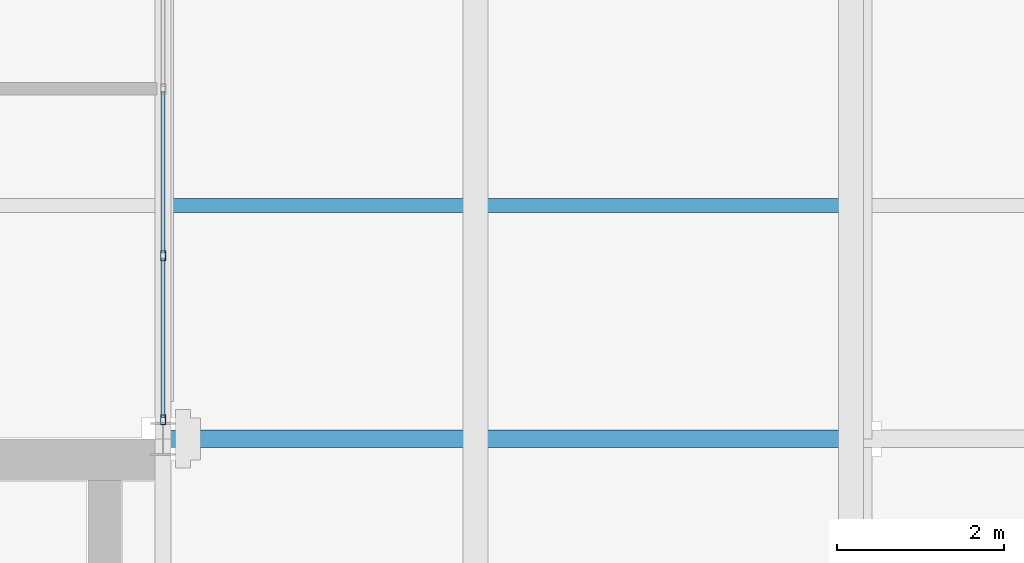
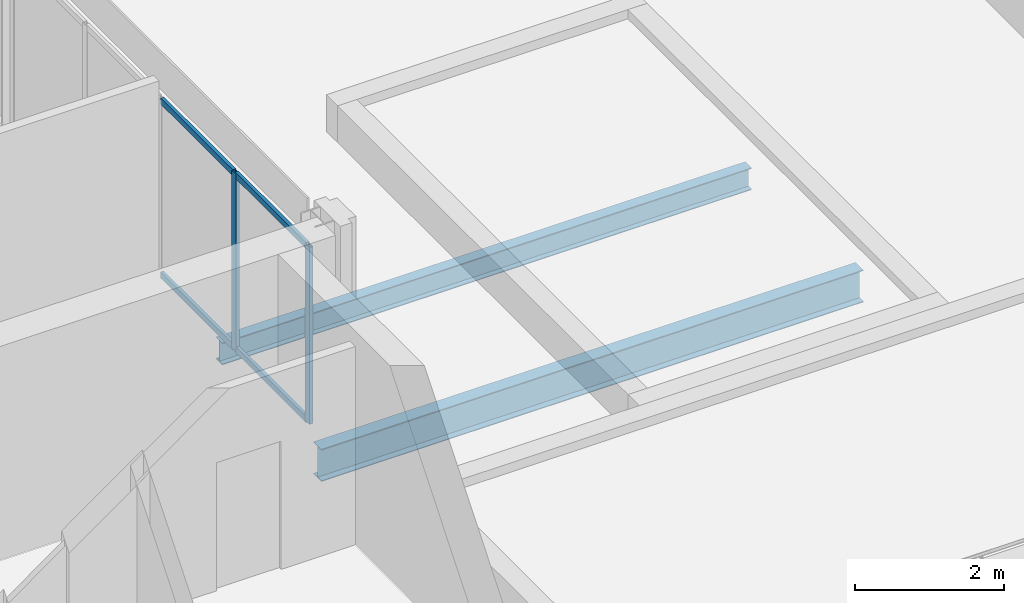
# One storey, part 8 of 32: 6 members, 2 beams, 1 element without a shape of its own.
"""IFC4 building model written with IfcOpenShell, lengths in metres."""

from ifc_helpers import new_model, si_unit, direction, frame, origin, origin_2d, place, context, subcontext, project, spatial, hollow_rectangle, i_section, extrude, material, material_profile, profile_set, type_object, element, aggregate, save


model = new_model("IFC4")

# Units and contexts
model_context = context("Model", 3, precision=1e-05, world=origin(), true_north=direction((0.0, 1.0)))
body_context = subcontext(model_context, "Body", "Model", "MODEL_VIEW")
ifc_project = project(units=[si_unit("LENGTHUNIT", "METRE"), si_unit("AREAUNIT", "SQUARE_METRE"), si_unit("VOLUMEUNIT", "CUBIC_METRE"), si_unit("PLANEANGLEUNIT", "RADIAN"), si_unit("MASSUNIT", "GRAM", prefix="KILO")], contexts=[model_context])

# Site, building, storey
site_placement = place(None, origin())
site = spatial("IfcSite", under=ifc_project, at=site_placement, CompositionType="ELEMENT")
building_placement = place(site_placement, origin())
building = spatial("IfcBuilding", under=site, at=building_placement, Name="Catenary Quay Ferry Terminal", CompositionType="ELEMENT")
storey_placement = place(building_placement, frame((0.0, 0.0, 17.10009765625)))
storey = spatial("IfcBuildingStorey", under=building, at=storey_placement, Name="L03", CompositionType="ELEMENT", Elevation=17.10009765625)

# Beams
ifc_material_1 = material(Name="Steel S355", Category="steel")
ifc_material_profile_1 = material_profile(ifc_material_1, i_section(OverallWidth=0.208740234375, OverallDepth=0.5283203125, WebThickness=0.009521484375, FlangeThickness=0.01318359375, at=origin_2d()), Name="UB 533x210x82")
ifc_profile_set_1 = profile_set([ifc_material_profile_1], Name="Steel S355")
beam_type_1 = type_object("IfcBeamType", Name="B5 UB 533x210x82", PredefinedType="BEAM", material=ifc_profile_set_1)
beam_1_placement = place(storey_placement, frame((50.39990234375, 168.0, -0.51416015625), z_axis=(1.0, 0.0, 0.0), x_axis=(0.0, 1.0, 0.0)))
element("IfcBeam", 1, at=beam_1_placement, inside=storey, type_object=beam_type_1, Name="Beam B5-003", PredefinedType="BEAM", context=body_context, shape_type="SweptSolid", body=[
    extrude(i_section(OverallWidth=0.208740234375, OverallDepth=0.5283203125, WebThickness=0.009521484375, FlangeThickness=0.01318359375, at=origin_2d()), origin(), (0.0, 0.0, 1.0), 8.400146484375),
])
ifc_material_2 = material(Name="Steel S355", Category="steel")
ifc_material_profile_2 = material_profile(ifc_material_2, i_section(OverallWidth=0.169921875, OverallDepth=0.360107421875, WebThickness=0.008056640625, FlangeThickness=0.0126953125, at=origin_2d()), Name="IPE 360")
ifc_profile_set_2 = profile_set([ifc_material_profile_2], Name="Steel S355")
beam_type_2 = type_object("IfcBeamType", Name="B7 IPE 360", PredefinedType="BEAM", material=ifc_profile_set_2)
beam_2_placement = place(storey_placement, frame((50.4951171875, 170.800048828125, -0.43017578125), z_axis=(1.0, 0.0, 0.0), x_axis=(0.0, 1.0, 0.0)))
element("IfcBeam", 2, at=beam_2_placement, inside=storey, type_object=beam_type_2, Name="Beam B7-005", PredefinedType="BEAM", context=body_context, shape_type="SweptSolid", body=[
    extrude(i_section(OverallWidth=0.169921875, OverallDepth=0.360107421875, WebThickness=0.008056640625, FlangeThickness=0.0126953125, at=origin_2d()), origin(), (0.0, 0.0, 1.0), 8.200927734375),
])

# Curtain wall, members
ifc_material_3 = material(Name="Aluminium and glass", Category="aluminium")
curtain_wall_type = type_object("IfcCurtainWallType", Name="CWW3", PredefinedType="NOTDEFINED", material=ifc_material_3)
curtain_wall_placement = place(storey_placement, origin())
curtain_wall = element("IfcCurtainWall", 3, at=curtain_wall_placement, inside=storey, type_object=curtain_wall_type, Name="Wing curtain wall CW144", PredefinedType="NOTDEFINED")
ifc_material_4 = material(Name="Aluminium", Category="aluminium")
ifc_material_profile_3 = material_profile(ifc_material_4, hollow_rectangle(XDim=0.06005859375, YDim=0.1201171875, WallThickness=0.0048828125, at=origin_2d()), Name="MU4")
ifc_profile_set_3 = profile_set([ifc_material_profile_3], Name="Aluminium")
member_type_1 = type_object("IfcMemberType", Name="MU4", PredefinedType="MULLION", material=ifc_profile_set_3)
member_1_placement = place(storey_placement, frame((50.39990234375, 168.22998046875, 0.0), z_axis=(0.0, 0.0, 1.0), x_axis=(-1.0, 0.0, 0.0)))
member_1 = element("IfcMember", 4, at=member_1_placement, type_object=member_type_1, Name="CW144 mullion 1", PredefinedType="MULLION", context=body_context, shape_type="SweptSolid", body=[
    extrude(hollow_rectangle(XDim=0.06005859375, YDim=0.1201171875, WallThickness=0.0048828125, at=origin_2d()), origin(), (0.0, 0.0, 1.0), 2.89990234375),
])
member_2_placement = place(storey_placement, frame((50.39990234375, 170.199951171875, 0.0), z_axis=(0.0, 0.0, 1.0), x_axis=(-1.0, 0.0, 0.0)))
member_2 = element("IfcMember", 5, at=member_2_placement, type_object=member_type_1, Name="CW144 mullion 2", PredefinedType="MULLION", context=body_context, shape_type="SweptSolid", body=[
    extrude(hollow_rectangle(XDim=0.06005859375, YDim=0.1201171875, WallThickness=0.0048828125, at=origin_2d()), origin(), (0.0, 0.0, 1.0), 2.89990234375),
])
ifc_material_5 = material(Name="Aluminium", Category="aluminium")
ifc_material_profile_4 = material_profile(ifc_material_5, hollow_rectangle(XDim=0.050048828125, YDim=0.10009765625, WallThickness=0.00390625, at=origin_2d()), Name="TR4")
ifc_profile_set_4 = profile_set([ifc_material_profile_4], Name="Aluminium")
member_type_2 = type_object("IfcMemberType", Name="TR4", PredefinedType="USERDEFINED", material=ifc_profile_set_4)
member_3_placement = place(storey_placement, frame((50.39990234375, 168.260009765625, 0.02490234375), z_axis=(0.0, 1.0, 0.0), x_axis=(-1.0, 0.0, 0.0)))
member_3 = element("IfcMember", 6, at=member_3_placement, type_object=member_type_2, Name="CW144 transom 1.1", ObjectType="TRANSOM", PredefinedType="USERDEFINED", context=body_context, shape_type="SweptSolid", body=[
    extrude(hollow_rectangle(XDim=0.050048828125, YDim=0.10009765625, WallThickness=0.00390625, at=origin_2d()), origin(), (0.0, 0.0, 1.0), 1.909912109375),
])
member_4_placement = place(storey_placement, frame((50.39990234375, 168.260009765625, 2.875), z_axis=(0.0, 1.0, 0.0), x_axis=(-1.0, 0.0, 0.0)))
member_4 = element("IfcMember", 7, at=member_4_placement, type_object=member_type_2, Name="CW144 transom 1.2", ObjectType="TRANSOM", PredefinedType="USERDEFINED", context=body_context, shape_type="SweptSolid", body=[
    extrude(hollow_rectangle(XDim=0.050048828125, YDim=0.10009765625, WallThickness=0.00390625, at=origin_2d()), origin(), (0.0, 0.0, 1.0), 1.909912109375),
])
member_5_placement = place(storey_placement, frame((50.39990234375, 170.22998046875, 0.02490234375), z_axis=(0.0, 1.0, 0.0), x_axis=(-1.0, 0.0, 0.0)))
member_5 = element("IfcMember", 8, at=member_5_placement, type_object=member_type_2, Name="CW144 transom 2.1", ObjectType="TRANSOM", PredefinedType="USERDEFINED", context=body_context, shape_type="SweptSolid", body=[
    extrude(hollow_rectangle(XDim=0.050048828125, YDim=0.10009765625, WallThickness=0.00390625, at=origin_2d()), origin(), (0.0, 0.0, 1.0), 1.93994140625),
])
member_6_placement = place(storey_placement, frame((50.39990234375, 170.22998046875, 2.875), z_axis=(0.0, 1.0, 0.0), x_axis=(-1.0, 0.0, 0.0)))
member_6 = element("IfcMember", 9, at=member_6_placement, type_object=member_type_2, Name="CW144 transom 2.2", ObjectType="TRANSOM", PredefinedType="USERDEFINED", context=body_context, shape_type="SweptSolid", body=[
    extrude(hollow_rectangle(XDim=0.050048828125, YDim=0.10009765625, WallThickness=0.00390625, at=origin_2d()), origin(), (0.0, 0.0, 1.0), 1.93994140625),
])
aggregate(curtain_wall, [member_1, member_2, member_3, member_4, member_5, member_6])

save(model, "model.ifc")
